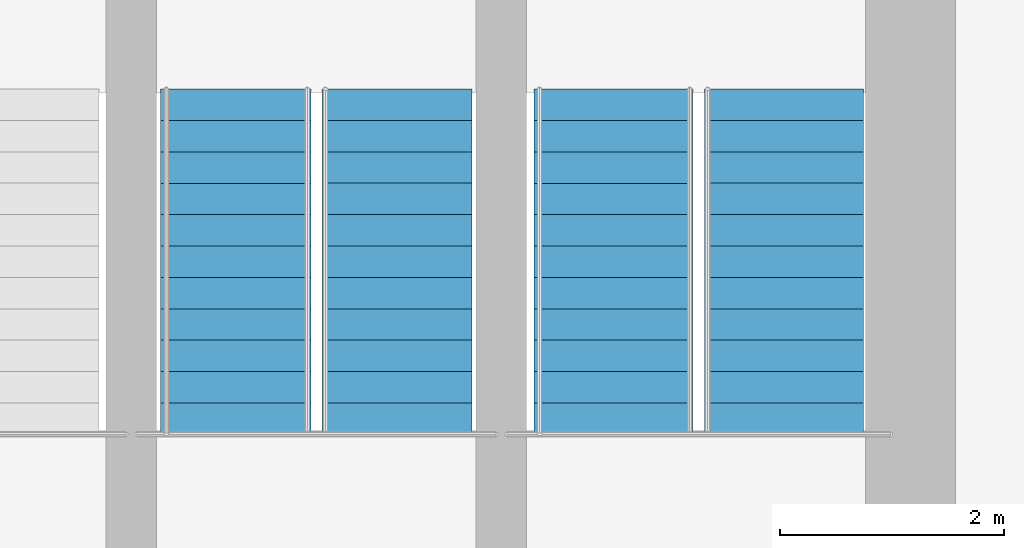
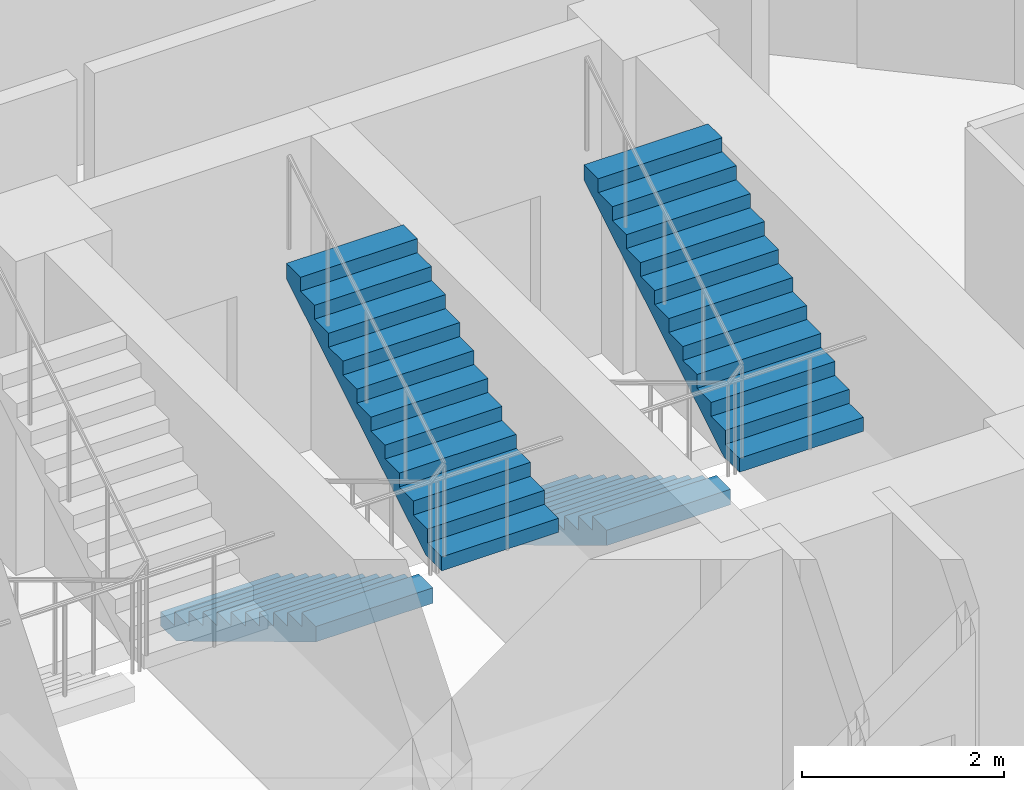
# One storey, part 24 of 26: 4 stair flights, 2 elements without a shape of their own.
"""IFC4 building model written with IfcOpenShell, lengths in metres."""

from ifc_helpers import new_model, si_unit, direction, frame, origin, place, context, subcontext, project, spatial, polyline, outline, extrude, material, type_object, element, aggregate, save


model = new_model("IFC4")

# Units and contexts
model_context = context("Model", 3, precision=1e-05, world=origin(), true_north=direction((0.0, 1.0)))
body_context = subcontext(model_context, "Body", "Model", "MODEL_VIEW")
ifc_project = project(units=[si_unit("LENGTHUNIT", "METRE"), si_unit("AREAUNIT", "SQUARE_METRE"), si_unit("VOLUMEUNIT", "CUBIC_METRE"), si_unit("PLANEANGLEUNIT", "RADIAN"), si_unit("MASSUNIT", "GRAM", prefix="KILO")], contexts=[model_context])

# Site, building, storey
site_placement = place(None, origin())
site = spatial("IfcSite", under=ifc_project, at=site_placement, CompositionType="ELEMENT")
building_placement = place(site_placement, origin())
building = spatial("IfcBuilding", under=site, at=building_placement, Name="Nuhasar Tower", CompositionType="ELEMENT")
storey_placement = place(building_placement, frame((0.0, 0.0, 53.39990234375)))
storey = spatial("IfcBuildingStorey", under=building, at=storey_placement, Name="L12", CompositionType="ELEMENT", Elevation=53.39990234375)

# Stair, stair flights
ifc_material = material(Name="Concrete C45/55", Category="concrete")
stair_type_1 = type_object("IfcStairType", Name="STR-ST-02-2F-24R-1688", PredefinedType="HALF_TURN_STAIR", material=ifc_material)
stair_1_placement = place(storey_placement, origin())
stair_1 = element("IfcStair", 1, at=stair_1_placement, inside=storey, type_object=stair_type_1, Name="L12 Exit Stair ST-02", PredefinedType="HALF_TURN_STAIR")
stair_flight_type_1 = type_object("IfcStairFlightType", Name="SFL-ST-02-12R-1688", PredefinedType="STRAIGHT", material=ifc_material)
stair_flight_1_placement = place(storey_placement, frame((41.64990234375, 35.284912109375, 0.0), z_axis=(0.0, 0.0, 1.0), x_axis=(0.0, -1.0, 0.0)))
stair_flight_1 = element("IfcStairFlight", 2, at=stair_flight_1_placement, type_object=stair_flight_type_1, Name="ST-02 flight 1", NumberOfRisers=12, NumberOfTreads=11, PredefinedType="STRAIGHT", RiserHeight=0.16875, TreadLength=0.28, context=body_context, shape_type="SweptSolid", body=[
    extrude(outline(polyline([(0.0, 0.0), (0.0, 0.168701171875), (0.280029296875, 0.168701171875), (0.280029296875, 0.33740234375), (0.56005859375, 0.33740234375), (0.56005859375, 0.50634765625), (0.840087890625, 0.50634765625), (0.840087890625, 0.675048828125), (1.1201171875, 0.675048828125), (1.1201171875, 0.84375), (1.39990234375, 0.84375), (1.39990234375, 1.012451171875), (1.679931640625, 1.012451171875), (1.679931640625, 1.18115234375), (1.9599609375, 1.18115234375), (1.9599609375, 1.35009765625), (2.239990234375, 1.35009765625), (2.239990234375, 1.518798828125), (2.52001953125, 1.518798828125), (2.52001953125, 1.6875), (2.800048828125, 1.6875), (2.800048828125, 1.856201171875), (3.080078125, 1.856201171875), (3.080078125, 2.02490234375), (3.080078125, 1.66943359375), (0.309814453125, 0.0), (0.0, 0.0)])), frame((0.0, 0.7099609375, 0.0), z_axis=(0.0, -1.0, 0.0), x_axis=(1.0, 0.0, 0.0)), (0.0, 0.0, 1.0), 1.419921875),
])
stair_flight_2_placement = place(storey_placement, frame((43.169921875, 32.205078125, 2.025146484375), z_axis=(0.0, 0.0, 1.0), x_axis=(0.0, 1.0, 0.0)))
stair_flight_2 = element("IfcStairFlight", 3, at=stair_flight_2_placement, type_object=stair_flight_type_1, Name="ST-02 flight 2", NumberOfRisers=12, NumberOfTreads=11, PredefinedType="STRAIGHT", RiserHeight=0.16875, TreadLength=0.28, context=body_context, shape_type="SweptSolid", body=[
    extrude(outline(polyline([(0.0, 0.0), (0.0, 0.168701171875), (0.280029296875, 0.168701171875), (0.280029296875, 0.33740234375), (0.56005859375, 0.33740234375), (0.56005859375, 0.50634765625), (0.840087890625, 0.50634765625), (0.840087890625, 0.675048828125), (1.1201171875, 0.675048828125), (1.1201171875, 0.84375), (1.39990234375, 0.84375), (1.39990234375, 1.012451171875), (1.679931640625, 1.012451171875), (1.679931640625, 1.18115234375), (1.9599609375, 1.18115234375), (1.9599609375, 1.35009765625), (2.239990234375, 1.35009765625), (2.239990234375, 1.518798828125), (2.52001953125, 1.518798828125), (2.52001953125, 1.6875), (2.800048828125, 1.6875), (2.800048828125, 1.856201171875), (3.080078125, 1.856201171875), (3.080078125, 2.02490234375), (3.080078125, 1.66943359375), (0.309814453125, 0.0), (0.0, 0.0)])), frame((0.0, 0.7099609375, 0.0), z_axis=(0.0, -1.0, 0.0), x_axis=(1.0, 0.0, 0.0)), (0.0, 0.0, 1.0), 1.419921875),
])
aggregate(stair_1, [stair_flight_1, stair_flight_2])

stair_type_2 = type_object("IfcStairType", Name="STR-ST-03-2F-24R-1688", PredefinedType="HALF_TURN_STAIR", material=ifc_material)
stair_2_placement = place(storey_placement, origin())
stair_2 = element("IfcStair", 4, at=stair_2_placement, inside=storey, type_object=stair_type_2, Name="L12 Exit Stair ST-03", PredefinedType="HALF_TURN_STAIR")
stair_flight_type_2 = type_object("IfcStairFlightType", Name="SFL-ST-03-12R-1688", PredefinedType="STRAIGHT", material=ifc_material)
stair_flight_3_placement = place(storey_placement, frame((38.280029296875, 35.284912109375, 0.0), z_axis=(0.0, 0.0, 1.0), x_axis=(0.0, -1.0, 0.0)))
stair_flight_3 = element("IfcStairFlight", 5, at=stair_flight_3_placement, type_object=stair_flight_type_2, Name="ST-03 flight 1", NumberOfRisers=12, NumberOfTreads=11, PredefinedType="STRAIGHT", RiserHeight=0.16875, TreadLength=0.28, context=body_context, shape_type="SweptSolid", body=[
    extrude(outline(polyline([(0.0, 0.0), (0.0, 0.168701171875), (0.280029296875, 0.168701171875), (0.280029296875, 0.33740234375), (0.56005859375, 0.33740234375), (0.56005859375, 0.50634765625), (0.840087890625, 0.50634765625), (0.840087890625, 0.675048828125), (1.1201171875, 0.675048828125), (1.1201171875, 0.84375), (1.39990234375, 0.84375), (1.39990234375, 1.012451171875), (1.679931640625, 1.012451171875), (1.679931640625, 1.18115234375), (1.9599609375, 1.18115234375), (1.9599609375, 1.35009765625), (2.239990234375, 1.35009765625), (2.239990234375, 1.518798828125), (2.52001953125, 1.518798828125), (2.52001953125, 1.6875), (2.800048828125, 1.6875), (2.800048828125, 1.856201171875), (3.080078125, 1.856201171875), (3.080078125, 2.02490234375), (3.080078125, 1.66943359375), (0.309814453125, 0.0), (0.0, 0.0)])), frame((0.0, 0.669921875, 0.0), z_axis=(0.0, -1.0, 0.0), x_axis=(1.0, 0.0, 0.0)), (0.0, 0.0, 1.0), 1.340087890625),
])
stair_flight_4_placement = place(storey_placement, frame((39.719970703125, 32.205078125, 2.025146484375), z_axis=(0.0, 0.0, 1.0), x_axis=(0.0, 1.0, 0.0)))
stair_flight_4 = element("IfcStairFlight", 6, at=stair_flight_4_placement, type_object=stair_flight_type_2, Name="ST-03 flight 2", NumberOfRisers=12, NumberOfTreads=11, PredefinedType="STRAIGHT", RiserHeight=0.16875, TreadLength=0.28, context=body_context, shape_type="SweptSolid", body=[
    extrude(outline(polyline([(0.0, 0.0), (0.0, 0.168701171875), (0.280029296875, 0.168701171875), (0.280029296875, 0.33740234375), (0.56005859375, 0.33740234375), (0.56005859375, 0.50634765625), (0.840087890625, 0.50634765625), (0.840087890625, 0.675048828125), (1.1201171875, 0.675048828125), (1.1201171875, 0.84375), (1.39990234375, 0.84375), (1.39990234375, 1.012451171875), (1.679931640625, 1.012451171875), (1.679931640625, 1.18115234375), (1.9599609375, 1.18115234375), (1.9599609375, 1.35009765625), (2.239990234375, 1.35009765625), (2.239990234375, 1.518798828125), (2.52001953125, 1.518798828125), (2.52001953125, 1.6875), (2.800048828125, 1.6875), (2.800048828125, 1.856201171875), (3.080078125, 1.856201171875), (3.080078125, 2.02490234375), (3.080078125, 1.66943359375), (0.309814453125, 0.0), (0.0, 0.0)])), frame((0.0, 0.669921875, 0.0), z_axis=(0.0, -1.0, 0.0), x_axis=(1.0, 0.0, 0.0)), (0.0, 0.0, 1.0), 1.340087890625),
])
aggregate(stair_2, [stair_flight_3, stair_flight_4])

save(model, "model.ifc")
